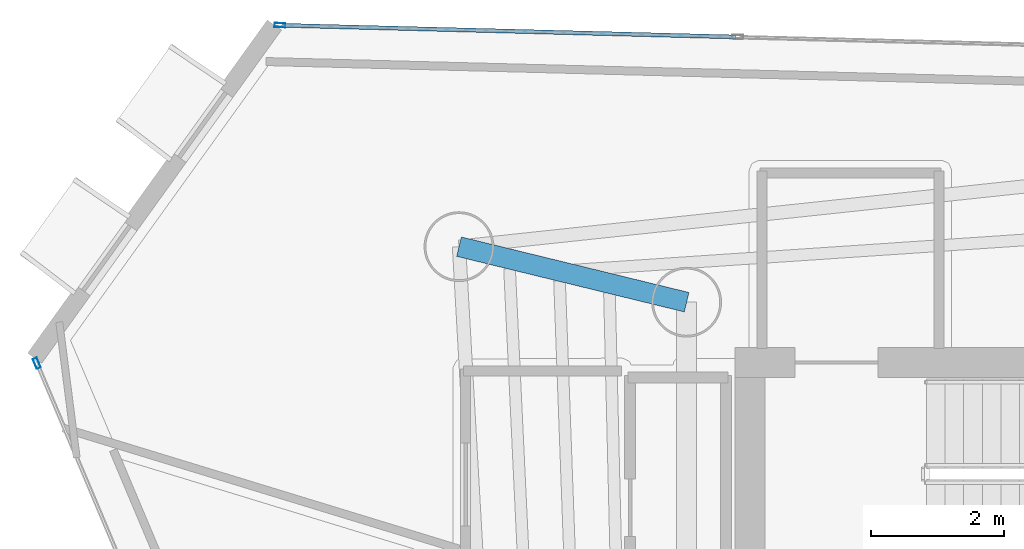
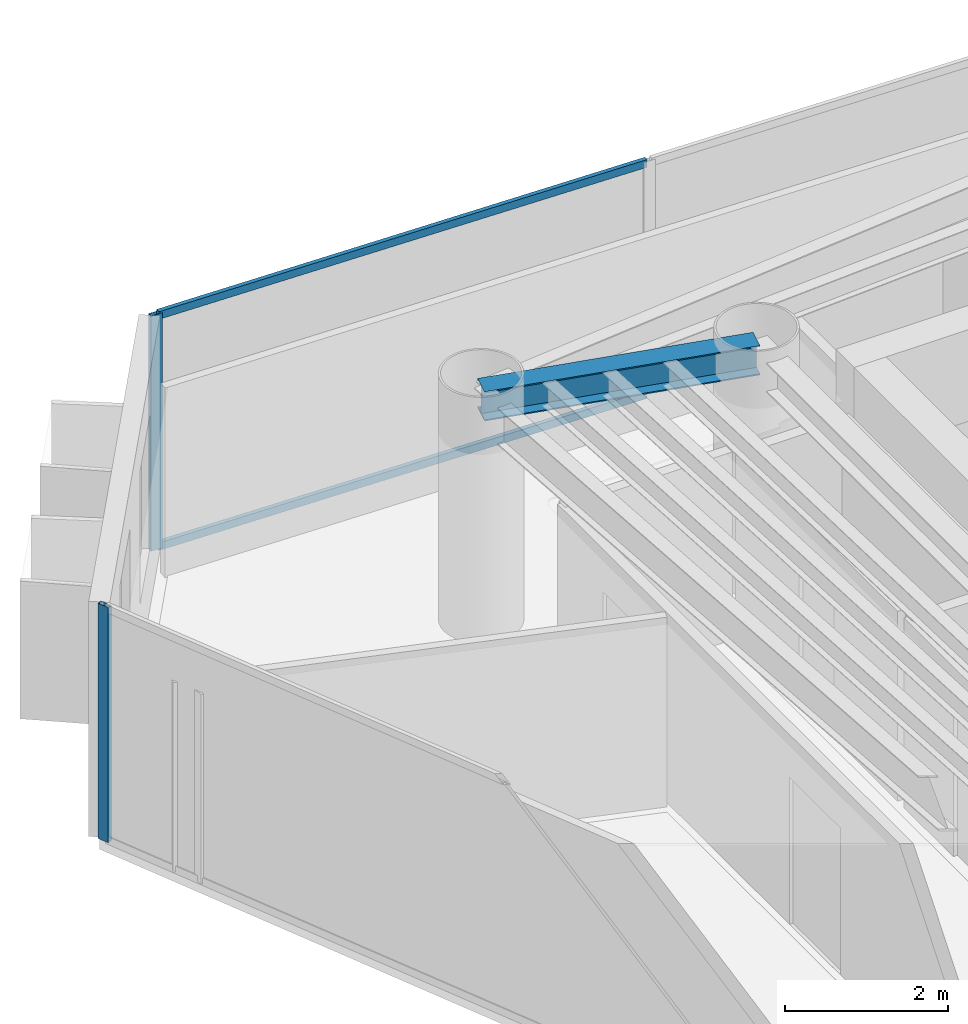
# One storey, part 8 of 21: 4 members, 1 beam, 2 elements without a shape of their own.
"""IFC4 building model written with IfcOpenShell, lengths in metres."""

from ifc_helpers import new_model, si_unit, direction, frame, origin, origin_2d, place, context, subcontext, project, spatial, hollow_rectangle, i_section, extrude, material, layer, layer_set, material_profile, profile_set, type_object, element, aggregate, save


model = new_model("IFC4")

# Units and contexts
model_context = context("Model", 3, precision=1e-05, world=origin(), true_north=direction((0.0, 1.0)))
body_context = subcontext(model_context, "Body", "Model", "MODEL_VIEW")
ifc_project = project(units=[si_unit("LENGTHUNIT", "METRE"), si_unit("AREAUNIT", "SQUARE_METRE"), si_unit("VOLUMEUNIT", "CUBIC_METRE"), si_unit("PLANEANGLEUNIT", "RADIAN"), si_unit("MASSUNIT", "GRAM", prefix="KILO")], contexts=[model_context])

# Site, building, storey
site_placement = place(None, origin())
site = spatial("IfcSite", under=ifc_project, at=site_placement, CompositionType="ELEMENT")
building_placement = place(site_placement, origin())
building = spatial("IfcBuilding", under=site, at=building_placement, Name="Qianvela Tower", CompositionType="ELEMENT")
storey_placement = place(building_placement, frame((0.0, 0.0, 246.39990234375)))
storey = spatial("IfcBuildingStorey", under=building, at=storey_placement, Name="L63", CompositionType="ELEMENT", Elevation=246.39990234375)

# Beam
ifc_material_1 = material(Name="Steel Q355B", Category="steel")
ifc_material_profile_1 = material_profile(ifc_material_1, i_section(OverallWidth=0.300048828125, OverallDepth=0.43994140625, WebThickness=0.010986328125, FlangeThickness=0.01806640625, at=origin_2d()), Name="HM440x300x11x18")
ifc_profile_set_1 = profile_set([ifc_material_profile_1], Name="Steel Q355B")
beam_type = type_object("IfcBeamType", Name="BM-HM440-COLL", PredefinedType="BEAM", material=ifc_profile_set_1)
beam_placement = place(storey_placement, frame((28.60009765625, 33.550048828125, 3.298095703125), z_axis=(-0.971502414323, 0.237029658405, 0.0), x_axis=(-0.237029658405, -0.971502414323, 0.0)))
element("IfcBeam", 1, at=beam_placement, inside=storey, type_object=beam_type, Name="L63 Radial Primary Floor Girder 3", PredefinedType="BEAM", context=body_context, shape_type="SweptSolid", body=[
    extrude(i_section(OverallWidth=0.300048828125, OverallDepth=0.43994140625, WebThickness=0.010986328125, FlangeThickness=0.01806640625, at=origin_2d()), origin(), (0.0, 0.0, 1.0), 3.5185546875),
])

# Curtain wall, member
ifc_material_2 = material(Name="Anodised Architectural Aluminium and Low-E Glass", Category="aluminium")
ifc_layer = layer(ifc_material_2, 0.159912109375)
ifc_layer_set = layer_set([ifc_layer], Name="Anodised Architectural Aluminium and Low-E Glass")
curtain_wall_type = type_object("IfcCurtainWallType", Name="CW-COLIV-Z56", PredefinedType="USERDEFINED", material=ifc_layer_set)
curtain_wall_1_placement = place(storey_placement, origin())
curtain_wall_1 = element("IfcCurtainWall", 2, at=curtain_wall_1_placement, inside=storey, type_object=curtain_wall_type, Name="L63 CW-COLIV-Z56 Curtain Wall 02C", ObjectType="CURTAIN_WALL_SYSTEM", PredefinedType="USERDEFINED")
ifc_material_3 = material(Name="Anodised Architectural Aluminium 6063-T6", Category="aluminium")
ifc_material_profile_2 = material_profile(ifc_material_3, hollow_rectangle(XDim=0.06494140625, YDim=0.159912109375, WallThickness=0.0048828125, at=origin_2d()), Name="ALU-MULL-65x160")
ifc_profile_set_2 = profile_set([ifc_material_profile_2], Name="Anodised Architectural Aluminium 6063-T6")
member_type_1 = type_object("IfcMemberType", Name="CW-COLIV-Z56-MULL", PredefinedType="MULLION", material=ifc_profile_set_2)
member_1_placement = place(storey_placement, frame((22.4912109375, 37.709716796875, 0.0), z_axis=(0.0, 0.0, 1.0), x_axis=(-0.025705457951, -0.999669560121, 0.0)))
member_1 = element("IfcMember", 3, at=member_1_placement, type_object=member_type_1, Name="CW-5 mullion 3", PredefinedType="MULLION", context=body_context, shape_type="SweptSolid", body=[
    extrude(hollow_rectangle(XDim=0.06494140625, YDim=0.159912109375, WallThickness=0.0048828125, at=origin_2d()), origin(), (0.0, 0.0, 1.0), 3.52001953125),
])

curtain_wall_2_placement = place(storey_placement, origin())
curtain_wall_2 = element("IfcCurtainWall", 4, at=curtain_wall_2_placement, inside=storey, type_object=curtain_wall_type, Name="L63 CW-COLIV-Z56 Curtain Wall 04A", ObjectType="CURTAIN_WALL_SYSTEM", PredefinedType="USERDEFINED")
member_2_placement = place(storey_placement, frame((18.841552734375, 32.63330078125, 0.0), z_axis=(0.0, 0.0, 1.0), x_axis=(0.92131901935, 0.388807490391, 0.0)))
member_2 = element("IfcMember", 5, at=member_2_placement, type_object=member_type_1, Name="CW-5 mullion 1", PredefinedType="MULLION", context=body_context, shape_type="SweptSolid", body=[
    extrude(hollow_rectangle(XDim=0.06494140625, YDim=0.159912109375, WallThickness=0.0048828125, at=origin_2d()), origin(), (0.0, 0.0, 1.0), 3.52001953125),
])
aggregate(curtain_wall_2, [member_2])

# Member
ifc_material_4 = material(Name="Anodised Architectural Aluminium 6063-T6", Category="aluminium")
ifc_material_profile_3 = material_profile(ifc_material_4, hollow_rectangle(XDim=0.06005859375, YDim=0.114990234375, WallThickness=0.00390625, at=origin_2d()), Name="ALU-TRAN-60x115")
ifc_profile_set_3 = profile_set([ifc_material_profile_3], Name="Anodised Architectural Aluminium 6063-T6")
member_type_2 = type_object("IfcMemberType", Name="CW-COLIV-Z56-TRAN", PredefinedType="USERDEFINED", material=ifc_profile_set_3)
member_3_placement = place(storey_placement, frame((29.334716796875, 37.53369140625, 0.030029296875), z_axis=(-0.999669898808, 0.025692283226, 0.0), x_axis=(-0.025692283226, -0.999669898808, 0.0)))
member_3 = element("IfcMember", 6, at=member_3_placement, type_object=member_type_2, Name="CW-5 transom 2.1", ObjectType="TRANSOM", PredefinedType="USERDEFINED", context=body_context, shape_type="SweptSolid", body=[
    extrude(hollow_rectangle(XDim=0.06005859375, YDim=0.114990234375, WallThickness=0.00390625, at=origin_2d()), origin(), (0.0, 0.0, 1.0), 6.813232421875),
])

member_4_placement = place(storey_placement, frame((29.334716796875, 37.53369140625, 3.489990234375), z_axis=(-0.999669898808, 0.025692283226, 0.0), x_axis=(-0.025692283226, -0.999669898808, 0.0)))
member_4 = element("IfcMember", 7, at=member_4_placement, type_object=member_type_2, Name="CW-5 transom 2.2", ObjectType="TRANSOM", PredefinedType="USERDEFINED", context=body_context, shape_type="SweptSolid", body=[
    extrude(hollow_rectangle(XDim=0.06005859375, YDim=0.114990234375, WallThickness=0.00390625, at=origin_2d()), origin(), (0.0, 0.0, 1.0), 6.813232421875),
])

aggregate(curtain_wall_1, [member_1, member_3, member_4])

save(model, "model.ifc")
